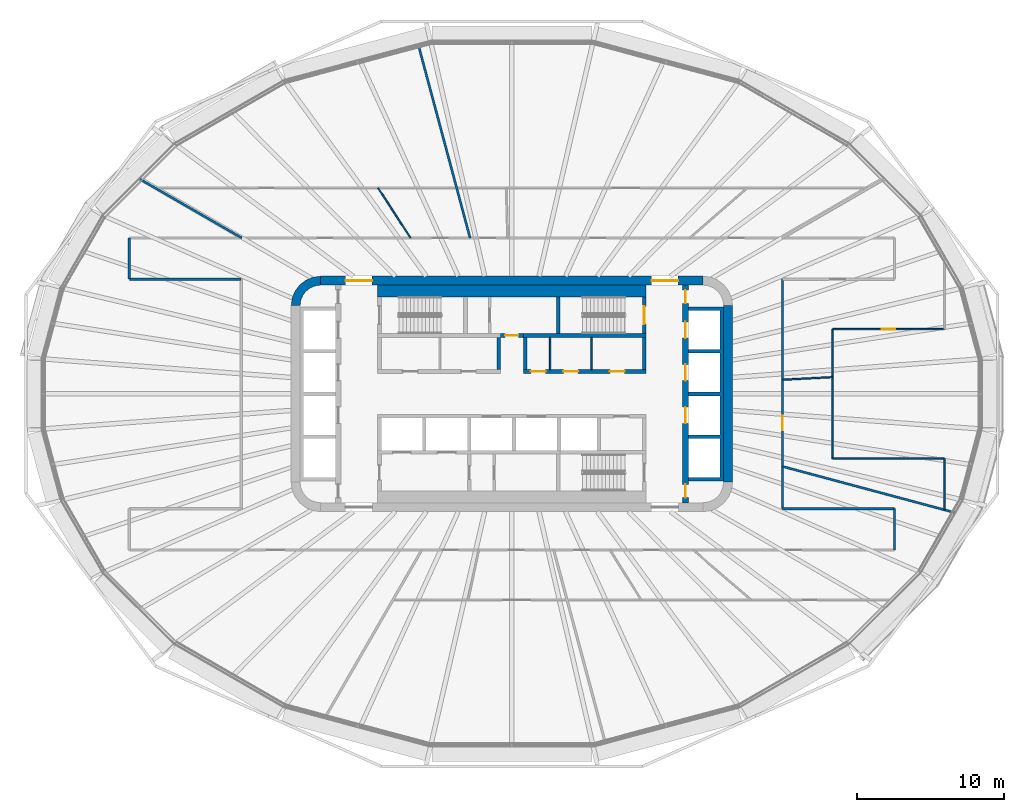
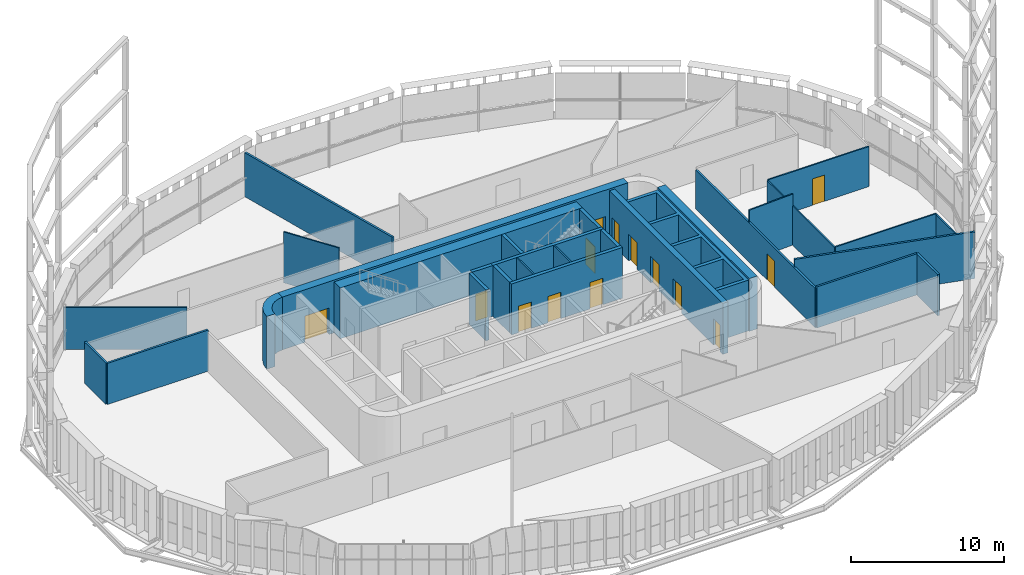
# One storey, part 16 of 26: 30 walls, 14 doors, 14 openings.
"""IFC4 building model written with IfcOpenShell, lengths in metres."""

from ifc_helpers import new_model, si_unit, direction, frame, frame_2d, origin, place, context, subcontext, project, spatial, polyline, rectangle, outline, extrude, material, layer, layer_set, type_object, element, fill, save


model = new_model("IFC4")

# Units and contexts
model_context = context("Model", 3, precision=1e-05, world=origin(), true_north=direction((0.0, 1.0)))
body_context = subcontext(model_context, "Body", "Model", "MODEL_VIEW")
ifc_project = project(units=[si_unit("LENGTHUNIT", "METRE"), si_unit("AREAUNIT", "SQUARE_METRE"), si_unit("VOLUMEUNIT", "CUBIC_METRE"), si_unit("PLANEANGLEUNIT", "RADIAN"), si_unit("MASSUNIT", "GRAM", prefix="KILO")], contexts=[model_context])

# Site, building, storey
site_placement = place(None, origin())
site = spatial("IfcSite", under=ifc_project, at=site_placement, CompositionType="ELEMENT")
building_placement = place(site_placement, origin())
building = spatial("IfcBuilding", under=site, at=building_placement, Name="Sahrelin Media Tower", CompositionType="ELEMENT")
storey_placement = place(building_placement, frame((0.0, 0.0, 102.0)))
storey = spatial("IfcBuildingStorey", under=building, at=storey_placement, Name="L19", CompositionType="ELEMENT", Elevation=102.0)

# Wall, openings, doors
ifc_material_1 = material(Name="Concrete C60/75", Category="concrete")
ifc_layer_1 = layer(ifc_material_1, 0.60009765625)
ifc_layer_set_1 = layer_set([ifc_layer_1], Name="Core wall 600")
wall_type_1 = type_object("IfcWallType", Name="Core wall 600", PredefinedType="SHEAR", material=ifc_layer_set_1)
wall_1_placement = place(storey_placement, frame((-13.0, 7.699951171875, 0.0), z_axis=(0.0, 0.0, 1.0), x_axis=(1.0, 0.0, 0.0)))
wall_1 = element("IfcWall", 1, at=wall_1_placement, inside=storey, type_object=wall_type_1, Name="Core wall N L19", PredefinedType="SHEAR", context=body_context, shape_type="SweptSolid", body=[
    extrude(rectangle(XDim=26.0, YDim=0.60009765625, at=frame_2d((13.0, 0.0))), origin(), (0.0, 0.0, 1.0), 4.199951171875),
])
opening_1_placement = place(wall_1_placement, frame((1.699951171875, 0.0, 0.0)))
opening_1 = element("IfcOpeningElement", 2, at=opening_1_placement, cuts=wall_1, Name="Opening L19-D19", PredefinedType="OPENING", context=body_context, shape_type="SweptSolid", body=[
    extrude(rectangle(XDim=1.800048828125, YDim=2.10009765625, at=frame_2d((0.89990234375, 1.050048828125))), frame((0.0, 0.300048828125, 0.0), z_axis=(0.0, -1.0, 0.0), x_axis=(1.0, 0.0, 0.0)), (0.0, 0.0, 1.0), 0.60009765625),
])
opening_2_placement = place(wall_1_placement, frame((22.5, 0.0, 0.0)))
opening_2 = element("IfcOpeningElement", 3, at=opening_2_placement, cuts=wall_1, Name="Opening L19-D20", PredefinedType="OPENING", context=body_context, shape_type="SweptSolid", body=[
    extrude(rectangle(XDim=1.800048828125, YDim=2.10009765625, at=frame_2d((0.89990234375, 1.050048828125))), frame((0.0, 0.300048828125, 0.0), z_axis=(0.0, -1.0, 0.0), x_axis=(1.0, 0.0, 0.0)), (0.0, 0.0, 1.0), 0.60009765625),
])
ifc_material_2 = material(Name="Steel fire door leaf", Category="steel")
door_type_1 = type_object("IfcDoorType", Name="Lobby double door 1800 x 2100 EI 60", OperationType="DOUBLE_DOOR_SINGLE_SWING", PredefinedType="DOOR", material=ifc_material_2)
door_1_placement = place(opening_1_placement, origin())
door_1 = element("IfcDoor", 4, at=door_1_placement, inside=storey, type_object=door_type_1, Name="Lobby door", OperationType="DOUBLE_DOOR_SINGLE_SWING", OverallHeight=2.10009765625, OverallWidth=1.800048828125, PredefinedType="DOOR", context=body_context, shape_type="SweptSolid", body=[
    extrude(rectangle(XDim=1.800048828125, YDim=2.10009765625, at=frame_2d((0.89990234375, 1.050048828125))), frame((0.0, 0.02490234375, 0.0), z_axis=(0.0, -1.0, 0.0), x_axis=(1.0, 0.0, 0.0)), (0.0, 0.0, 1.0), 0.050048828125),
])
fill(opening_1, door_1)
door_2_placement = place(opening_2_placement, origin())
door_2 = element("IfcDoor", 5, at=door_2_placement, inside=storey, type_object=door_type_1, Name="Lobby door", OperationType="DOUBLE_DOOR_SINGLE_SWING", OverallHeight=2.10009765625, OverallWidth=1.800048828125, PredefinedType="DOOR", context=body_context, shape_type="SweptSolid", body=[
    extrude(rectangle(XDim=1.800048828125, YDim=2.10009765625, at=frame_2d((0.89990234375, 1.050048828125))), frame((0.0, 0.02490234375, 0.0), z_axis=(0.0, -1.0, 0.0), x_axis=(1.0, 0.0, 0.0)), (0.0, 0.0, 1.0), 0.050048828125),
])
fill(opening_2, door_2)

# Walls
wall_2_placement = place(storey_placement, frame((14.699951171875, -6.0, 0.0), z_axis=(0.0, 0.0, 1.0), x_axis=(0.0, 1.0, 0.0)))
element("IfcWall", 6, at=wall_2_placement, inside=storey, type_object=wall_type_1, Name="Core wall E L19", PredefinedType="SHEAR", context=body_context, shape_type="SweptSolid", body=[
    extrude(rectangle(XDim=12.0, YDim=0.60009765625, at=frame_2d((6.0, 0.0))), origin(), (0.0, 0.0, 1.0), 4.199951171875),
])
placement = place(storey_placement, origin())
element("IfcWall", 7, at=placement, inside=storey, type_object=wall_type_1, Name="Core wall corner NW L19", PredefinedType="SHEAR", context=body_context, shape_type="SweptSolid", body=[
    extrude(outline(polyline([(-15.0, 6.0), (-14.394775390625, 6.0), (-14.347412109375, 6.361083984375), (-14.2080078125, 6.697509765625), (-13.986328125, 6.986328125), (-13.697509765625, 7.2080078125), (-13.361083984375, 7.347412109375), (-13.0, 7.394775390625), (-13.0, 8.0), (-13.517578125, 7.931884765625), (-14.0, 7.732177734375), (-14.414306640625, 7.414306640625), (-14.732177734375, 7.0), (-14.931884765625, 6.517578125), (-15.0, 6.0)])), origin(), (0.0, 0.0, 1.0), 4.199951171875),
])

# Wall, opening, door
ifc_material_3 = material(Name="Fire-rated gypsum board partition")
ifc_layer_2 = layer(ifc_material_3, 0.25)
ifc_layer_set_2 = layer_set([ifc_layer_2], Name="Fire-rated lobby wall 250")
wall_type_2 = type_object("IfcWallType", Name="Fire-rated lobby wall 250", PredefinedType="PARTITIONING", material=ifc_layer_set_2)
wall_4_placement = place(storey_placement, frame((-0.77490234375, 3.97509765625, 0.0), z_axis=(0.0, 0.0, 1.0), x_axis=(1.0, 0.0, 0.0)))
wall_4 = element("IfcWall", 8, at=wall_4_placement, inside=storey, type_object=wall_type_2, Name="Core lobby wall", PredefinedType="PARTITIONING", context=body_context, shape_type="SweptSolid", body=[
    extrude(rectangle(XDim=1.5498046875, YDim=0.25, at=frame_2d((0.77490234375, 0.0))), origin(), (0.0, 0.0, 1.0), 4.050048828125),
])
opening_3_placement = place(wall_4_placement, frame((0.324951171875, 0.0, 0.0)))
opening_3 = element("IfcOpeningElement", 9, at=opening_3_placement, cuts=wall_4, Name="Opening L19-D06", PredefinedType="OPENING", context=body_context, shape_type="SweptSolid", body=[
    extrude(rectangle(XDim=0.89990234375, YDim=2.10009765625, at=frame_2d((0.449951171875, 1.050048828125))), frame((0.0, 0.125, 0.0), z_axis=(0.0, -1.0, 0.0), x_axis=(1.0, 0.0, 0.0)), (0.0, 0.0, 1.0), 0.25),
])
door_type_2 = type_object("IfcDoorType", Name="Riser door 900 x 2100 EI 120", OperationType="NOTDEFINED", PredefinedType="DOOR", material=ifc_material_2)
door_3_placement = place(opening_3_placement, origin())
door_3 = element("IfcDoor", 10, at=door_3_placement, inside=storey, type_object=door_type_2, Name="Core room door", OperationType="SINGLE_SWING_LEFT", OverallHeight=2.10009765625, OverallWidth=0.89990234375, PredefinedType="DOOR", context=body_context, shape_type="SweptSolid", body=[
    extrude(rectangle(XDim=0.89990234375, YDim=2.10009765625, at=frame_2d((0.449951171875, 1.050048828125))), frame((0.0, 0.02490234375, 0.0), z_axis=(0.0, -1.0, 0.0), x_axis=(1.0, 0.0, 0.0)), (0.0, 0.0, 1.0), 0.050048828125),
])
fill(opening_3, door_3)

# Wall, openings, doors
wall_5_placement = place(storey_placement, frame((0.77490234375, 1.52490234375, 0.0), z_axis=(0.0, 0.0, 1.0), x_axis=(1.0, 0.0, 0.0)))
wall_5 = element("IfcWall", 11, at=wall_5_placement, inside=storey, type_object=wall_type_2, Name="Core lobby wall", PredefinedType="PARTITIONING", context=body_context, shape_type="SweptSolid", body=[
    extrude(rectangle(XDim=8.35009765625, YDim=0.25, at=frame_2d((4.175048828125, 0.0))), origin(), (0.0, 0.0, 1.0), 4.050048828125),
])
opening_4_placement = place(wall_5_placement, frame((0.512451171875, 0.0, 0.0)))
opening_4 = element("IfcOpeningElement", 12, at=opening_4_placement, cuts=wall_5, Name="Opening L19-D11", PredefinedType="OPENING", context=body_context, shape_type="SweptSolid", body=[
    extrude(rectangle(XDim=1.0, YDim=2.10009765625, at=frame_2d((0.5, 1.050048828125))), frame((0.0, 0.125, 0.0), z_axis=(0.0, -1.0, 0.0), x_axis=(1.0, 0.0, 0.0)), (0.0, 0.0, 1.0), 0.25),
])
opening_5_placement = place(wall_5_placement, frame((2.72509765625, 0.0, 0.0)))
opening_5 = element("IfcOpeningElement", 13, at=opening_5_placement, cuts=wall_5, Name="Opening L19-D12", PredefinedType="OPENING", context=body_context, shape_type="SweptSolid", body=[
    extrude(rectangle(XDim=1.0, YDim=2.10009765625, at=frame_2d((0.5, 1.050048828125))), frame((0.0, 0.125, 0.0), z_axis=(0.0, -1.0, 0.0), x_axis=(1.0, 0.0, 0.0)), (0.0, 0.0, 1.0), 0.25),
])
opening_6_placement = place(wall_5_placement, frame((5.887451171875, 0.0, 0.0)))
opening_6 = element("IfcOpeningElement", 14, at=opening_6_placement, cuts=wall_5, Name="Opening L19-D13", PredefinedType="OPENING", context=body_context, shape_type="SweptSolid", body=[
    extrude(rectangle(XDim=1.0, YDim=2.10009765625, at=frame_2d((0.5, 1.050048828125))), frame((0.0, 0.125, 0.0), z_axis=(0.0, -1.0, 0.0), x_axis=(1.0, 0.0, 0.0)), (0.0, 0.0, 1.0), 0.25),
])
door_type_3 = type_object("IfcDoorType", Name="Fire door 1000 x 2100 EI 60", OperationType="NOTDEFINED", PredefinedType="DOOR", material=ifc_material_2)
door_4_placement = place(opening_4_placement, origin())
door_4 = element("IfcDoor", 15, at=door_4_placement, inside=storey, type_object=door_type_3, Name="Core room door", OperationType="SINGLE_SWING_LEFT", OverallHeight=2.10009765625, OverallWidth=1.0, PredefinedType="DOOR", context=body_context, shape_type="SweptSolid", body=[
    extrude(rectangle(XDim=1.0, YDim=2.10009765625, at=frame_2d((0.5, 1.050048828125))), frame((0.0, 0.02490234375, 0.0), z_axis=(0.0, -1.0, 0.0), x_axis=(1.0, 0.0, 0.0)), (0.0, 0.0, 1.0), 0.050048828125),
])
fill(opening_4, door_4)
door_5_placement = place(opening_5_placement, origin())
door_5 = element("IfcDoor", 16, at=door_5_placement, inside=storey, type_object=door_type_3, Name="Core room door", OperationType="SINGLE_SWING_LEFT", OverallHeight=2.10009765625, OverallWidth=1.0, PredefinedType="DOOR", context=body_context, shape_type="SweptSolid", body=[
    extrude(rectangle(XDim=1.0, YDim=2.10009765625, at=frame_2d((0.5, 1.050048828125))), frame((0.0, 0.02490234375, 0.0), z_axis=(0.0, -1.0, 0.0), x_axis=(1.0, 0.0, 0.0)), (0.0, 0.0, 1.0), 0.050048828125),
])
fill(opening_5, door_5)
door_6_placement = place(opening_6_placement, origin())
door_6 = element("IfcDoor", 17, at=door_6_placement, inside=storey, type_object=door_type_3, Name="Core room door", OperationType="SINGLE_SWING_LEFT", OverallHeight=2.10009765625, OverallWidth=1.0, PredefinedType="DOOR", context=body_context, shape_type="SweptSolid", body=[
    extrude(rectangle(XDim=1.0, YDim=2.10009765625, at=frame_2d((0.5, 1.050048828125))), frame((0.0, 0.02490234375, 0.0), z_axis=(0.0, -1.0, 0.0), x_axis=(1.0, 0.0, 0.0)), (0.0, 0.0, 1.0), 0.050048828125),
])
fill(opening_6, door_6)

# Walls
for number, where, z_axis, x_axis, name in (
    (18, (-0.89990234375, 1.64990234375, 0.0), (0.0, 0.0, 1.0), (0.0, 1.0, 0.0), "Core lobby wall"),
    (19, (9.0, 1.64990234375, 0.0), (0.0, 0.0, 1.0), (0.0, 1.0, 0.0), "Core lobby wall"),
    (20, (0.89990234375, 1.64990234375, 0.0), (0.0, 0.0, 1.0), (0.0, 1.0, 0.0), "Core lobby wall"),
):
    element("IfcWall", number, at=place(storey_placement, frame(where, z_axis=z_axis, x_axis=x_axis)), inside=storey, type_object=wall_type_2, Name=name, PredefinedType="PARTITIONING", context=body_context, shape_type="SweptSolid", body=[
        extrude(rectangle(XDim=2.2001953125, YDim=0.25, at=frame_2d((1.10009765625, 0.0))), origin(), (0.0, 0.0, 1.0), 4.050048828125),
    ])
ifc_layer_3 = layer(ifc_material_3, 0.10009765625)
ifc_layer_set_3 = layer_set([ifc_layer_3], Name="Fire-rated partition 100")
wall_type_3 = type_object("IfcWallType", Name="Fire-rated partition 100", PredefinedType="PARTITIONING", material=ifc_layer_set_3)
for number, where, z_axis, x_axis, name in (
    (21, (2.60009765625, 1.64990234375, 0.0), (0.0, 0.0, 1.0), (0.0, 1.0, 0.0), "Core room partition"),
    (22, (5.39990234375, 1.64990234375, 0.0), (0.0, 0.0, 1.0), (0.0, 1.0, 0.0), "Core room partition"),
):
    element("IfcWall", number, at=place(storey_placement, frame(where, z_axis=z_axis, x_axis=x_axis)), inside=storey, type_object=wall_type_3, Name=name, PredefinedType="PARTITIONING", context=body_context, shape_type="SweptSolid", body=[
        extrude(rectangle(XDim=2.2001953125, YDim=0.10009765625, at=frame_2d((1.10009765625, 0.0))), origin(), (0.0, 0.0, 1.0), 4.050048828125),
    ])
ifc_layer_4 = layer(ifc_material_3, 0.14990234375)
ifc_layer_set_4 = layer_set([ifc_layer_4], Name="Fire-rated partition 150")
wall_type_4 = type_object("IfcWallType", Name="Fire-rated partition 150", PredefinedType="PARTITIONING", material=ifc_layer_set_4)
wall_6_placement = place(storey_placement, frame((-6.364990234375, 23.75390625, 0.0), z_axis=(0.0, 0.0, 1.0), x_axis=(0.258843021616, -0.965919401483, 0.0)))
element("IfcWall", 23, at=wall_6_placement, inside=storey, type_object=wall_type_4, Name="Wall", PredefinedType="PARTITIONING", context=body_context, shape_type="SweptSolid", body=[
    extrude(rectangle(XDim=13.617919921875, YDim=0.14990234375, at=frame_2d((6.80908203125, 0.0))), origin(), (0.0, 0.0, 1.0), 3.501708984375),
])
wall_7_placement = place(storey_placement, frame((-25.322021484375, 14.618896484375, 0.0), z_axis=(0.0, 0.0, 1.0), x_axis=(0.866017655369, -0.500013420409, 0.0)))
element("IfcWall", 24, at=wall_7_placement, inside=storey, type_object=wall_type_4, Name="Wall", PredefinedType="PARTITIONING", context=body_context, shape_type="SweptSolid", body=[
    extrude(rectangle(XDim=8.037841796875, YDim=0.14990234375, at=frame_2d((4.01904296875, 0.0))), origin(), (0.0, 0.0, 1.0), 3.352294921875),
])
wall_8_placement = place(storey_placement, frame((18.39990234375, -4.929931640625, 0.0), z_axis=(0.0, 0.0, 1.0), x_axis=(0.965910063501, -0.258877865465, 0.0)))
element("IfcWall", 25, at=wall_8_placement, inside=storey, type_object=wall_type_4, Name="Wall", PredefinedType="PARTITIONING", context=body_context, shape_type="SweptSolid", body=[
    extrude(rectangle(XDim=12.164794921875, YDim=0.14990234375, at=frame_2d((6.08251953125, 0.0))), origin(), (0.0, 0.0, 1.0), 3.7265625),
])
for number, where, z_axis, x_axis, name in (
    (26, (18.39990234375, -7.800048828125, 0.0), (0.0, 0.0, 1.0), (1.0, 0.0, 0.0), "Wall"),
    (27, (-26.0, 7.800048828125, 0.0), (0.0, 0.0, 1.0), (1.0, 0.0, 0.0), "Wall"),
):
    element("IfcWall", number, at=place(storey_placement, frame(where, z_axis=z_axis, x_axis=x_axis)), inside=storey, type_object=wall_type_4, Name=name, PredefinedType="PARTITIONING", context=body_context, shape_type="SweptSolid", body=[
        extrude(rectangle(XDim=7.60009765625, YDim=0.14990234375, at=frame_2d((3.800048828125, 0.0))), origin(), (0.0, 0.0, 1.0), 3.27587890625),
    ])
wall_9_placement = place(storey_placement, frame((26.0, -10.60009765625, 0.0), z_axis=(0.0, 0.0, 1.0), x_axis=(0.0, 1.0, 0.0)))
element("IfcWall", 28, at=wall_9_placement, inside=storey, type_object=wall_type_4, Name="Wall", PredefinedType="PARTITIONING", context=body_context, shape_type="SweptSolid", body=[
    extrude(rectangle(XDim=2.800048828125, YDim=0.14990234375, at=frame_2d((1.39990234375, 0.0))), origin(), (0.0, 0.0, 1.0), 3.27587890625),
])

# Wall, opening, door
wall_10_placement = place(storey_placement, frame((18.39990234375, -7.800048828125, 0.0), z_axis=(0.0, 0.0, 1.0), x_axis=(0.0, 1.0, 0.0)))
wall_10 = element("IfcWall", 29, at=wall_10_placement, inside=storey, type_object=wall_type_4, Name="Wall", PredefinedType="PARTITIONING", context=body_context, shape_type="SweptSolid", body=[
    extrude(rectangle(XDim=15.60009765625, YDim=0.14990234375, at=frame_2d((7.800048828125, 0.0))), origin(), (0.0, 0.0, 1.0), 3.1181640625),
])
opening_7_placement = place(wall_10_placement, frame((5.31689453125, 0.0, 0.0)))
opening_7 = element("IfcOpeningElement", 30, at=opening_7_placement, cuts=wall_10, Name="Opening L19-D38", PredefinedType="OPENING", context=body_context, shape_type="SweptSolid", body=[
    extrude(rectangle(XDim=1.0, YDim=2.10009765625, at=frame_2d((0.5, 1.050048828125))), frame((0.0, 0.074951171875, 0.0), z_axis=(0.0, -1.0, 0.0), x_axis=(1.0, 0.0, 0.0)), (0.0, 0.0, 1.0), 0.14990234375),
])
door_7_placement = place(opening_7_placement, origin())
door_7 = element("IfcDoor", 31, at=door_7_placement, inside=storey, type_object=door_type_3, Name="Fire door", OperationType="SINGLE_SWING_RIGHT", OverallHeight=2.10009765625, OverallWidth=1.0, PredefinedType="DOOR", context=body_context, shape_type="SweptSolid", body=[
    extrude(rectangle(XDim=1.0, YDim=2.10009765625, at=frame_2d((0.5, 1.050048828125))), frame((0.0, 0.02490234375, 0.0), z_axis=(0.0, -1.0, 0.0), x_axis=(1.0, 0.0, 0.0)), (0.0, 0.0, 1.0), 0.050048828125),
])
fill(opening_7, door_7)

# Walls
wall_11_placement = place(storey_placement, frame((-26.0, 7.800048828125, 0.0), z_axis=(0.0, 0.0, 1.0), x_axis=(0.0, 1.0, 0.0)))
element("IfcWall", 32, at=wall_11_placement, inside=storey, type_object=wall_type_4, Name="Wall", PredefinedType="PARTITIONING", context=body_context, shape_type="SweptSolid", body=[
    extrude(rectangle(XDim=2.800048828125, YDim=0.14990234375, at=frame_2d((1.39990234375, 0.0))), origin(), (0.0, 0.0, 1.0), 3.27587890625),
])
ifc_layer_5 = layer(ifc_material_1, 0.25)
ifc_layer_set_5 = layer_set([ifc_layer_5], Name="Lift shaft wall 250")
wall_type_5 = type_object("IfcWallType", Name="Lift shaft wall 250", PredefinedType="SOLIDWALL", material=ifc_layer_set_5)
element("IfcWall", 33, at=placement, inside=storey, type_object=wall_type_5, Name="Lift shaft wall", PredefinedType="SOLIDWALL", context=body_context, shape_type="SweptSolid", body=[
    extrude(outline(polyline([(12.0, -5.675048828125), (12.0, -5.925048828125), (14.14990234375, -5.925048828125), (14.39990234375, -5.925048828125), (14.39990234375, -5.675048828125), (14.39990234375, -3.02490234375), (14.39990234375, -2.77490234375), (14.39990234375, -0.125), (14.39990234375, 0.125), (14.39990234375, 2.77490234375), (14.39990234375, 3.02490234375), (14.39990234375, 5.675048828125), (14.39990234375, 5.925048828125), (14.14990234375, 5.925048828125), (12.0, 5.925048828125), (12.0, 5.675048828125), (14.14990234375, 5.675048828125), (14.14990234375, 3.02490234375), (12.0, 3.02490234375), (12.0, 2.77490234375), (14.14990234375, 2.77490234375), (14.14990234375, 0.125), (12.0, 0.125), (12.0, -0.125), (14.14990234375, -0.125), (14.14990234375, -2.77490234375), (12.0, -2.77490234375), (12.0, -3.02490234375), (14.14990234375, -3.02490234375), (14.14990234375, -5.675048828125), (12.0, -5.675048828125)])), origin(), (0.0, 0.0, 1.0), 4.050048828125),
])

# Wall, openings, doors
ifc_layer_6 = layer(ifc_material_1, 0.39990234375)
ifc_layer_set_6 = layer_set([ifc_layer_6], Name="Lift shaft wall 400")
wall_type_6 = type_object("IfcWallType", Name="Lift shaft wall 400", PredefinedType="SOLIDWALL", material=ifc_layer_set_6)
wall_13_placement = place(storey_placement, frame((11.800048828125, -7.39990234375, 0.0), z_axis=(0.0, 0.0, 1.0), x_axis=(0.0, 1.0, 0.0)))
wall_13 = element("IfcWall", 34, at=wall_13_placement, inside=storey, type_object=wall_type_6, Name="Lift shaft wall", PredefinedType="SOLIDWALL", context=body_context, shape_type="SweptSolid", body=[
    extrude(rectangle(XDim=14.7998046875, YDim=0.39990234375, at=frame_2d((7.39990234375, 0.0))), origin(), (0.0, 0.0, 1.0), 4.050048828125),
])
opening_8_placement = place(wall_13_placement, frame((11.199951171875, 0.0, 0.0)))
opening_8 = element("IfcOpeningElement", 35, at=opening_8_placement, cuts=wall_13, Name="Opening L19-LD-LR4", PredefinedType="OPENING", context=body_context, shape_type="SweptSolid", body=[
    extrude(rectangle(XDim=1.10009765625, YDim=2.10009765625, at=frame_2d((0.550048828125, 1.050048828125))), frame((0.0, 0.199951171875, 0.0), z_axis=(0.0, -1.0, 0.0), x_axis=(1.0, 0.0, 0.0)), (0.0, 0.0, 1.0), 0.39990234375),
])
opening_9_placement = place(wall_13_placement, frame((8.300048828125, 0.0, 0.0)))
opening_9 = element("IfcOpeningElement", 36, at=opening_9_placement, cuts=wall_13, Name="Opening L19-LD-LR5", PredefinedType="OPENING", context=body_context, shape_type="SweptSolid", body=[
    extrude(rectangle(XDim=1.10009765625, YDim=2.10009765625, at=frame_2d((0.550048828125, 1.050048828125))), frame((0.0, 0.199951171875, 0.0), z_axis=(0.0, -1.0, 0.0), x_axis=(1.0, 0.0, 0.0)), (0.0, 0.0, 1.0), 0.39990234375),
])
opening_10_placement = place(wall_13_placement, frame((5.39990234375, 0.0, 0.0)))
opening_10 = element("IfcOpeningElement", 37, at=opening_10_placement, cuts=wall_13, Name="Opening L19-LD-LR6", PredefinedType="OPENING", context=body_context, shape_type="SweptSolid", body=[
    extrude(rectangle(XDim=1.10009765625, YDim=2.10009765625, at=frame_2d((0.550048828125, 1.050048828125))), frame((0.0, 0.199951171875, 0.0), z_axis=(0.0, -1.0, 0.0), x_axis=(1.0, 0.0, 0.0)), (0.0, 0.0, 1.0), 0.39990234375),
])
opening_11_placement = place(wall_13_placement, frame((13.552490234375, 0.0, 0.0)))
opening_11 = element("IfcOpeningElement", 38, at=opening_11_placement, cuts=wall_13, Name="Opening L19-D17", PredefinedType="OPENING", context=body_context, shape_type="SweptSolid", body=[
    extrude(rectangle(XDim=0.89990234375, YDim=2.10009765625, at=frame_2d((0.449951171875, 1.050048828125))), frame((0.0, 0.199951171875, 0.0), z_axis=(0.0, -1.0, 0.0), x_axis=(1.0, 0.0, 0.0)), (0.0, 0.0, 1.0), 0.39990234375),
])
opening_12_placement = place(wall_13_placement, frame((0.347412109375, 0.0, 0.0)))
opening_12 = element("IfcOpeningElement", 39, at=opening_12_placement, cuts=wall_13, Name="Opening L19-D18", PredefinedType="OPENING", context=body_context, shape_type="SweptSolid", body=[
    extrude(rectangle(XDim=0.89990234375, YDim=2.10009765625, at=frame_2d((0.449951171875, 1.050048828125))), frame((0.0, 0.199951171875, 0.0), z_axis=(0.0, -1.0, 0.0), x_axis=(1.0, 0.0, 0.0)), (0.0, 0.0, 1.0), 0.39990234375),
])
ifc_material_4 = material(Name="Stainless steel", Category="steel")
door_type_4 = type_object("IfcDoorType", Name="Lift landing door 1100 x 2100 EI 120", OperationType="DOUBLE_DOOR_SLIDING", PredefinedType="DOOR", material=ifc_material_4)
door_8_placement = place(opening_8_placement, origin())
door_8 = element("IfcDoor", 40, at=door_8_placement, inside=storey, type_object=door_type_4, Name="Lift landing door LR4", OperationType="DOUBLE_DOOR_SLIDING", OverallHeight=2.10009765625, OverallWidth=1.10009765625, PredefinedType="DOOR", context=body_context, shape_type="SweptSolid", body=[
    extrude(rectangle(XDim=1.10009765625, YDim=2.10009765625, at=frame_2d((0.550048828125, 1.050048828125))), frame((0.0, 0.02490234375, 0.0), z_axis=(0.0, -1.0, 0.0), x_axis=(1.0, 0.0, 0.0)), (0.0, 0.0, 1.0), 0.050048828125),
])
fill(opening_8, door_8)
door_9_placement = place(opening_9_placement, origin())
door_9 = element("IfcDoor", 41, at=door_9_placement, inside=storey, type_object=door_type_4, Name="Lift landing door LR5", OperationType="DOUBLE_DOOR_SLIDING", OverallHeight=2.10009765625, OverallWidth=1.10009765625, PredefinedType="DOOR", context=body_context, shape_type="SweptSolid", body=[
    extrude(rectangle(XDim=1.10009765625, YDim=2.10009765625, at=frame_2d((0.550048828125, 1.050048828125))), frame((0.0, 0.02490234375, 0.0), z_axis=(0.0, -1.0, 0.0), x_axis=(1.0, 0.0, 0.0)), (0.0, 0.0, 1.0), 0.050048828125),
])
fill(opening_9, door_9)
door_10_placement = place(opening_10_placement, origin())
door_10 = element("IfcDoor", 42, at=door_10_placement, inside=storey, type_object=door_type_4, Name="Lift landing door LR6", OperationType="DOUBLE_DOOR_SLIDING", OverallHeight=2.10009765625, OverallWidth=1.10009765625, PredefinedType="DOOR", context=body_context, shape_type="SweptSolid", body=[
    extrude(rectangle(XDim=1.10009765625, YDim=2.10009765625, at=frame_2d((0.550048828125, 1.050048828125))), frame((0.0, 0.02490234375, 0.0), z_axis=(0.0, -1.0, 0.0), x_axis=(1.0, 0.0, 0.0)), (0.0, 0.0, 1.0), 0.050048828125),
])
fill(opening_10, door_10)
door_11_placement = place(opening_11_placement, origin())
door_11 = element("IfcDoor", 43, at=door_11_placement, inside=storey, type_object=door_type_2, Name="Riser door", OperationType="SINGLE_SWING_RIGHT", OverallHeight=2.10009765625, OverallWidth=0.89990234375, PredefinedType="DOOR", context=body_context, shape_type="SweptSolid", body=[
    extrude(rectangle(XDim=0.89990234375, YDim=2.10009765625, at=frame_2d((0.449951171875, 1.050048828125))), frame((0.0, 0.02490234375, 0.0), z_axis=(0.0, -1.0, 0.0), x_axis=(1.0, 0.0, 0.0)), (0.0, 0.0, 1.0), 0.050048828125),
])
fill(opening_11, door_11)
door_12_placement = place(opening_12_placement, origin())
door_12 = element("IfcDoor", 44, at=door_12_placement, inside=storey, type_object=door_type_2, Name="Riser door", OperationType="SINGLE_SWING_RIGHT", OverallHeight=2.10009765625, OverallWidth=0.89990234375, PredefinedType="DOOR", context=body_context, shape_type="SweptSolid", body=[
    extrude(rectangle(XDim=0.89990234375, YDim=2.10009765625, at=frame_2d((0.449951171875, 1.050048828125))), frame((0.0, 0.02490234375, 0.0), z_axis=(0.0, -1.0, 0.0), x_axis=(1.0, 0.0, 0.0)), (0.0, 0.0, 1.0), 0.050048828125),
])
fill(opening_12, door_12)

# Walls
ifc_material_5 = material(Name="Gypsum board partition")
ifc_layer_7 = layer(ifc_material_5, 0.10009765625)
ifc_layer_set_7 = layer_set([ifc_layer_7], Name="Partition 100")
wall_type_7 = type_object("IfcWallType", Name="Partition 100", PredefinedType="PARTITIONING", material=ifc_layer_set_7)
wall_14_placement = place(storey_placement, frame((-9.092041015625, 14.0, 0.0), z_axis=(0.0, 0.0, 1.0), x_axis=(0.54465385443, -0.838660943918, 0.0)))
element("IfcWall", 45, at=wall_14_placement, inside=storey, type_object=wall_type_7, Name="Wall", PredefinedType="PARTITIONING", context=body_context, shape_type="SweptSolid", body=[
    extrude(rectangle(XDim=4.053955078125, YDim=0.10009765625, at=frame_2d((2.02685546875, 0.0))), origin(), (0.0, 0.0, 1.0), 4.050048828125),
])
wall_15_placement = place(storey_placement, frame((21.800048828125, -4.39990234375, 0.0), z_axis=(0.0, 0.0, 1.0), x_axis=(1.0, 0.0, 0.0)))
element("IfcWall", 46, at=wall_15_placement, inside=storey, type_object=wall_type_7, Name="Wall", PredefinedType="PARTITIONING", context=body_context, shape_type="SweptSolid", body=[
    extrude(rectangle(XDim=7.599853515625, YDim=0.10009765625, at=frame_2d((3.7998046875, 0.0))), origin(), (0.0, 0.0, 1.0), 3.195068359375),
])

# Wall, opening, door
wall_16_placement = place(storey_placement, frame((21.800048828125, 4.39990234375, 0.0), z_axis=(0.0, 0.0, 1.0), x_axis=(1.0, 0.0, 0.0)))
wall_16 = element("IfcWall", 47, at=wall_16_placement, inside=storey, type_object=wall_type_7, Name="Wall", PredefinedType="PARTITIONING", context=body_context, shape_type="SweptSolid", body=[
    extrude(rectangle(XDim=7.599853515625, YDim=0.10009765625, at=frame_2d((3.7998046875, 0.0))), origin(), (0.0, 0.0, 1.0), 3.195068359375),
])
opening_13_placement = place(wall_16_placement, frame((3.35009765625, 0.0, 0.0)))
opening_13 = element("IfcOpeningElement", 48, at=opening_13_placement, cuts=wall_16, Name="Opening L19-D40", PredefinedType="OPENING", context=body_context, shape_type="SweptSolid", body=[
    extrude(rectangle(XDim=0.89990234375, YDim=2.10009765625, at=frame_2d((0.449951171875, 1.050048828125))), frame((0.0, 0.050048828125, 0.0), z_axis=(0.0, -1.0, 0.0), x_axis=(1.0, 0.0, 0.0)), (0.0, 0.0, 1.0), 0.10009765625),
])
ifc_material_6 = material(Name="Timber door leaf", Category="wood")
door_type_5 = type_object("IfcDoorType", Name="Single door 900 x 2100", OperationType="NOTDEFINED", PredefinedType="DOOR", material=ifc_material_6)
door_13_placement = place(opening_13_placement, origin())
door_13 = element("IfcDoor", 49, at=door_13_placement, inside=storey, type_object=door_type_5, Name="Single door", OperationType="SINGLE_SWING_RIGHT", OverallHeight=2.10009765625, OverallWidth=0.89990234375, PredefinedType="DOOR", context=body_context, shape_type="SweptSolid", body=[
    extrude(rectangle(XDim=0.89990234375, YDim=2.10009765625, at=frame_2d((0.449951171875, 1.050048828125))), frame((0.0, 0.02490234375, 0.0), z_axis=(0.0, -1.0, 0.0), x_axis=(1.0, 0.0, 0.0)), (0.0, 0.0, 1.0), 0.050048828125),
])
fill(opening_13, door_13)

# Walls
wall_17_placement = place(storey_placement, frame((18.39990234375, 0.964111328125, 0.0), z_axis=(0.0, 0.0, 1.0), x_axis=(0.998632842418, 0.052272804058, 0.0)))
element("IfcWall", 50, at=wall_17_placement, inside=storey, type_object=wall_type_7, Name="Wall", PredefinedType="PARTITIONING", context=body_context, shape_type="SweptSolid", body=[
    extrude(rectangle(XDim=3.40478515625, YDim=0.10009765625, at=frame_2d((1.702392578125, 0.0))), origin(), (0.0, 0.0, 1.0), 4.050048828125),
])
wall_18_placement = place(storey_placement, frame((29.39990234375, -7.8779296875, 0.0), z_axis=(0.0, 0.0, 1.0), x_axis=(0.0, 1.0, 0.0)))
element("IfcWall", 51, at=wall_18_placement, inside=storey, type_object=wall_type_7, Name="Wall", PredefinedType="PARTITIONING", context=body_context, shape_type="SweptSolid", body=[
    extrude(rectangle(XDim=3.47802734375, YDim=0.10009765625, at=frame_2d((1.739013671875, 0.0))), origin(), (0.0, 0.0, 1.0), 3.126953125),
])
wall_19_placement = place(storey_placement, frame((21.800048828125, -4.39990234375, 0.0), z_axis=(0.0, 0.0, 1.0), x_axis=(0.0, 1.0, 0.0)))
element("IfcWall", 52, at=wall_19_placement, inside=storey, type_object=wall_type_7, Name="Wall", PredefinedType="PARTITIONING", context=body_context, shape_type="SweptSolid", body=[
    extrude(rectangle(XDim=8.7998046875, YDim=0.10009765625, at=frame_2d((4.39990234375, 0.0))), origin(), (0.0, 0.0, 1.0), 3.1181640625),
])

# Wall, opening, door
ifc_layer_8 = layer(ifc_material_1, 0.25)
ifc_layer_set_8 = layer_set([ifc_layer_8], Name="Stair enclosure wall 250")
wall_type_8 = type_object("IfcWallType", Name="Stair enclosure wall 250", PredefinedType="SOLIDWALL", material=ifc_layer_set_8)
wall_20_placement = place(storey_placement, frame((9.0, 4.10009765625, 0.0), z_axis=(0.0, 0.0, 1.0), x_axis=(0.0, 1.0, 0.0)))
wall_20 = element("IfcWall", 53, at=wall_20_placement, inside=storey, type_object=wall_type_8, Name="Stair enclosure wall", PredefinedType="SOLIDWALL", context=body_context, shape_type="SweptSolid", body=[
    extrude(rectangle(XDim=2.5, YDim=0.25, at=frame_2d((1.25, 0.0))), origin(), (0.0, 0.0, 1.0), 4.050048828125),
])
opening_14_placement = place(wall_20_placement, frame((0.64990234375, 0.0, 0.0)))
opening_14 = element("IfcOpeningElement", 54, at=opening_14_placement, cuts=wall_20, Name="Opening L19-D02", PredefinedType="OPENING", context=body_context, shape_type="SweptSolid", body=[
    extrude(rectangle(XDim=1.199951171875, YDim=2.10009765625, at=frame_2d((0.60009765625, 1.050048828125))), frame((0.0, 0.125, 0.0), z_axis=(0.0, -1.0, 0.0), x_axis=(1.0, 0.0, 0.0)), (0.0, 0.0, 1.0), 0.25),
])
door_type_6 = type_object("IfcDoorType", Name="Stair door 1200 x 2100 EI 120", OperationType="NOTDEFINED", PredefinedType="DOOR", material=ifc_material_2)
door_14_placement = place(opening_14_placement, origin())
door_14 = element("IfcDoor", 55, at=door_14_placement, inside=storey, type_object=door_type_6, Name="Stair door ST3", OperationType="SINGLE_SWING_LEFT", OverallHeight=2.10009765625, OverallWidth=1.199951171875, PredefinedType="DOOR", context=body_context, shape_type="SweptSolid", body=[
    extrude(rectangle(XDim=1.199951171875, YDim=2.10009765625, at=frame_2d((0.60009765625, 1.050048828125))), frame((0.0, 0.02490234375, 0.0), z_axis=(0.0, -1.0, 0.0), x_axis=(1.0, 0.0, 0.0)), (0.0, 0.0, 1.0), 0.050048828125),
])
fill(opening_14, door_14)

# Walls
wall_21_placement = place(storey_placement, frame((3.14990234375, 4.10009765625, 0.0), z_axis=(0.0, 0.0, 1.0), x_axis=(0.0, 1.0, 0.0)))
element("IfcWall", 56, at=wall_21_placement, inside=storey, type_object=wall_type_8, Name="Stair enclosure wall", PredefinedType="SOLIDWALL", context=body_context, shape_type="SweptSolid", body=[
    extrude(rectangle(XDim=2.5, YDim=0.25, at=frame_2d((1.25, 0.0))), origin(), (0.0, 0.0, 1.0), 4.050048828125),
])
wall_22_placement = place(storey_placement, frame((0.77490234375, 3.97509765625, 0.0), z_axis=(0.0, 0.0, 1.0), x_axis=(1.0, 0.0, 0.0)))
element("IfcWall", 57, at=wall_22_placement, inside=storey, type_object=wall_type_8, Name="Stair enclosure wall", PredefinedType="SOLIDWALL", context=body_context, shape_type="SweptSolid", body=[
    extrude(rectangle(XDim=8.35009765625, YDim=0.25, at=frame_2d((4.175048828125, 0.0))), origin(), (0.0, 0.0, 1.0), 4.050048828125),
])
ifc_layer_9 = layer(ifc_material_1, 0.800048828125)
ifc_layer_set_9 = layer_set([ifc_layer_9], Name="Stair enclosure wall 800")
wall_type_9 = type_object("IfcWallType", Name="Stair enclosure wall 800", PredefinedType="SOLIDWALL", material=ifc_layer_set_9)
wall_23_placement = place(storey_placement, frame((-9.125, 7.0, 0.0), z_axis=(0.0, 0.0, 1.0), x_axis=(1.0, 0.0, 0.0)))
element("IfcWall", 58, at=wall_23_placement, inside=storey, type_object=wall_type_9, Name="Stair enclosure wall", PredefinedType="SOLIDWALL", context=body_context, shape_type="SweptSolid", body=[
    extrude(rectangle(XDim=18.25, YDim=0.800048828125, at=frame_2d((9.125, 0.0))), origin(), (0.0, 0.0, 1.0), 4.050048828125),
])

save(model, "model.ifc")
